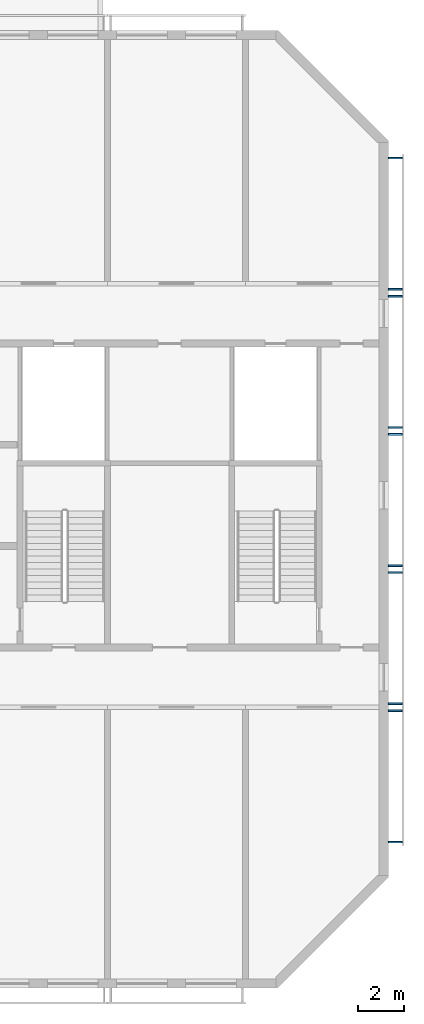
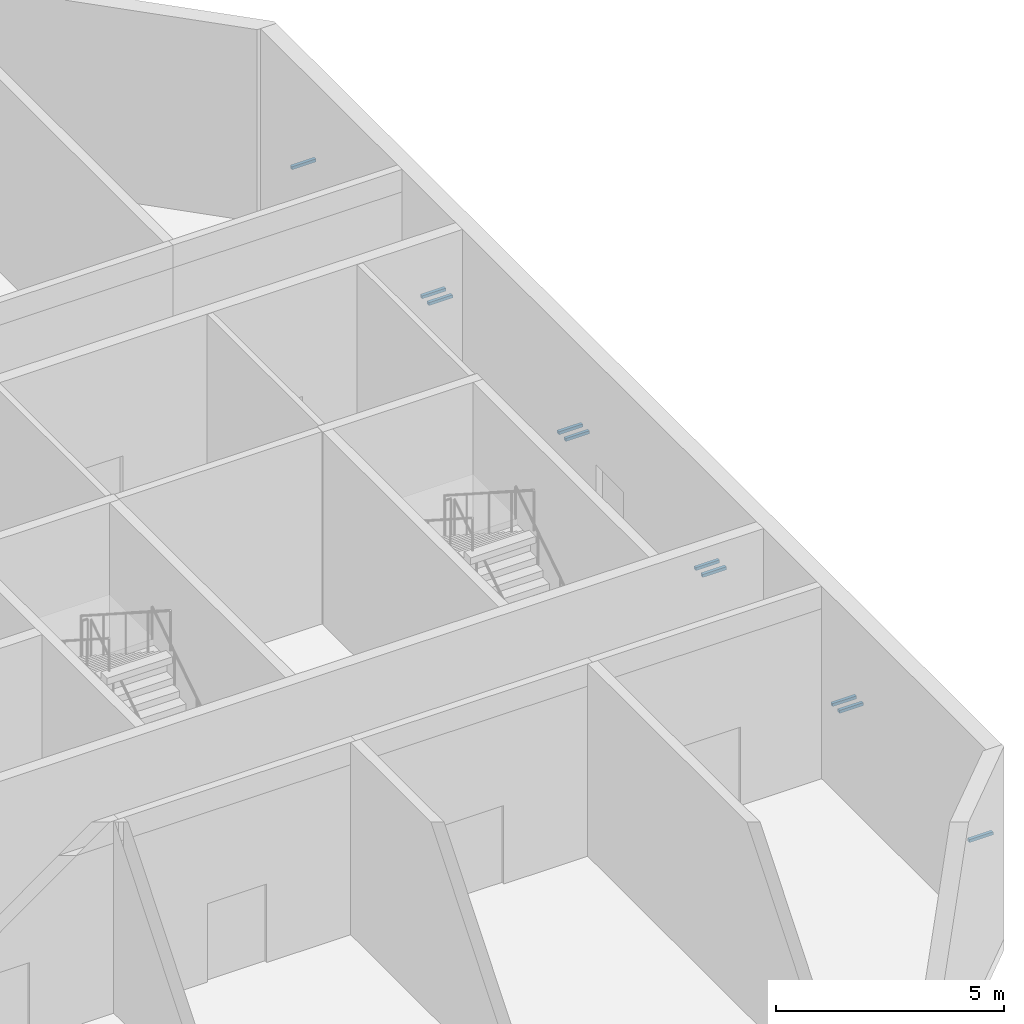
# One storey, part 9 of 18: 10 discrete accessories.
"""IFC4 building model written with IfcOpenShell, lengths in metres."""

from ifc_helpers import new_model, si_unit, direction, frame, origin, origin_2d, place, context, subcontext, project, spatial, rectangle, extrude, source, transform, mapped, material, material_profile, profile_set, type_object, element, save


model = new_model("IFC4")

# Units and contexts
model_context = context("Model", 3, precision=1e-05, world=origin(), true_north=direction((0.0, 1.0)))
body_context = subcontext(model_context, "Body", "Model", "MODEL_VIEW")
ifc_project = project(units=[si_unit("LENGTHUNIT", "METRE"), si_unit("AREAUNIT", "SQUARE_METRE"), si_unit("VOLUMEUNIT", "CUBIC_METRE"), si_unit("PLANEANGLEUNIT", "RADIAN"), si_unit("MASSUNIT", "GRAM", prefix="KILO")], contexts=[model_context])

# Site, building, storey
site_placement = place(None, origin())
site = spatial("IfcSite", under=ifc_project, at=site_placement, CompositionType="ELEMENT")
building_placement = place(site_placement, origin())
building = spatial("IfcBuilding", under=site, at=building_placement, Name="Poui Terraces", CompositionType="ELEMENT")
storey_placement = place(building_placement, frame((0.0, 0.0, 267.0)))
storey = spatial("IfcBuildingStorey", under=building, at=storey_placement, Name="L74", CompositionType="ELEMENT", Elevation=267.0)

# Discrete accessories
ifc_material = material(Name="Galvanised steel", Category="steel")
ifc_material_profile = material_profile(ifc_material, rectangle(XDim=0.080078125, YDim=0.080078125, at=origin_2d()), Name="SCREEN BRACKET 80")
ifc_profile_set = profile_set([ifc_material_profile], Name="Galvanised steel")
discrete_accessory_type = type_object("IfcDiscreteAccessoryType", Name="SCREEN BRACKET 80", PredefinedType="BRACKET", material=ifc_profile_set)
shared_shape = source(origin(), body_context, "Body", "SweptSolid", [
    extrude(rectangle(XDim=0.080078125, YDim=0.080078125, at=origin_2d()), origin(), (0.0, 0.0, 1.0), 0.60009765625),
])
for number, where, z_axis, x_axis, name in (
    (1, (84.199951171875, 6.14990234375, 1.699951171875), (1.0, 0.0, 0.0), (0.0, 1.0, 0.0), "SCREEN BRACKET"),
    (2, (84.199951171875, 11.85009765625, 1.699951171875), (1.0, 0.0, 0.0), (0.0, 1.0, 0.0), "SCREEN BRACKET"),
    (3, (84.199951171875, 12.14990234375, 1.699951171875), (1.0, 0.0, 0.0), (0.0, 1.0, 0.0), "SCREEN BRACKET"),
    (4, (84.199951171875, 17.85009765625, 1.699951171875), (1.0, 0.0, 0.0), (0.0, 1.0, 0.0), "SCREEN BRACKET"),
    (5, (84.199951171875, 18.14990234375, 1.699951171875), (1.0, 0.0, 0.0), (0.0, 1.0, 0.0), "SCREEN BRACKET"),
    (6, (84.199951171875, 23.85009765625, 1.699951171875), (1.0, 0.0, 0.0), (0.0, 1.0, 0.0), "SCREEN BRACKET"),
    (7, (84.199951171875, 24.14990234375, 1.699951171875), (1.0, 0.0, 0.0), (0.0, 1.0, 0.0), "SCREEN BRACKET"),
    (8, (84.199951171875, 29.85009765625, 1.699951171875), (1.0, 0.0, 0.0), (0.0, 1.0, 0.0), "SCREEN BRACKET"),
    (9, (84.199951171875, 30.14990234375, 1.699951171875), (1.0, 0.0, 0.0), (0.0, 1.0, 0.0), "SCREEN BRACKET"),
    (10, (84.199951171875, 35.85009765625, 1.699951171875), (1.0, 0.0, 0.0), (0.0, 1.0, 0.0), "SCREEN BRACKET"),
):
    element("IfcDiscreteAccessory", number, at=place(storey_placement, frame(where, z_axis=z_axis, x_axis=x_axis)), inside=storey, type_object=discrete_accessory_type, Name=name, PredefinedType="BRACKET", context=body_context, shape_type="MappedRepresentation", body=[
        mapped(shared_shape, transform((0.0, 0.0, 0.0))),
    ])

save(model, "model.ifc")
